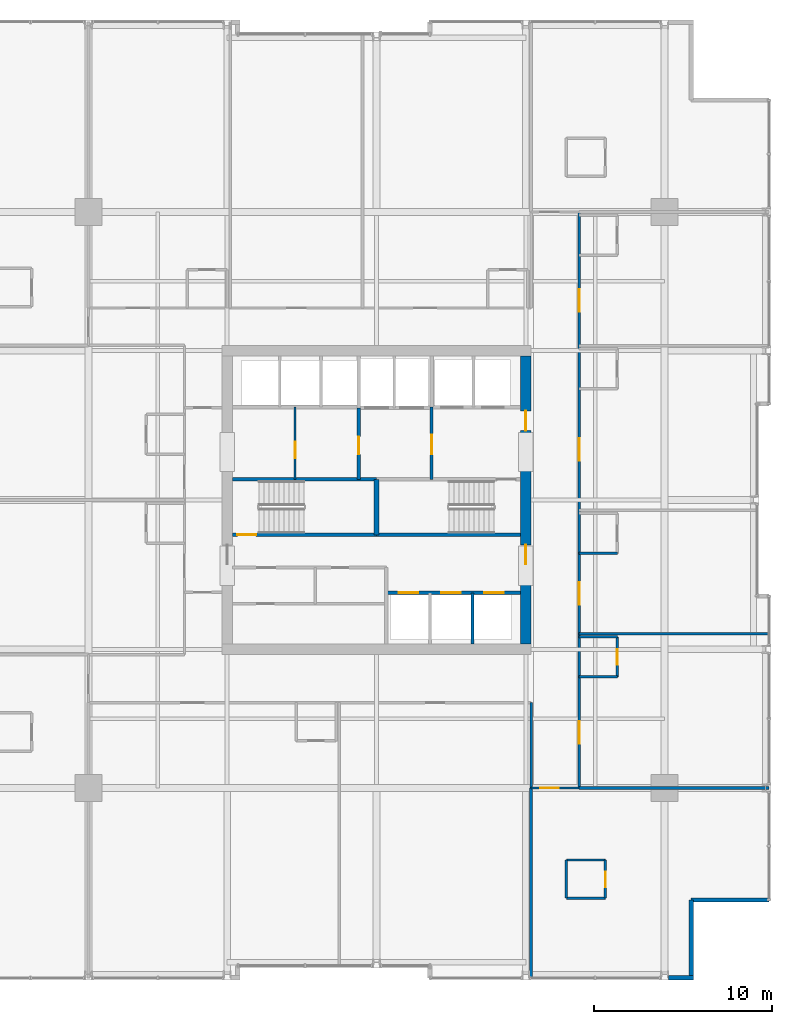
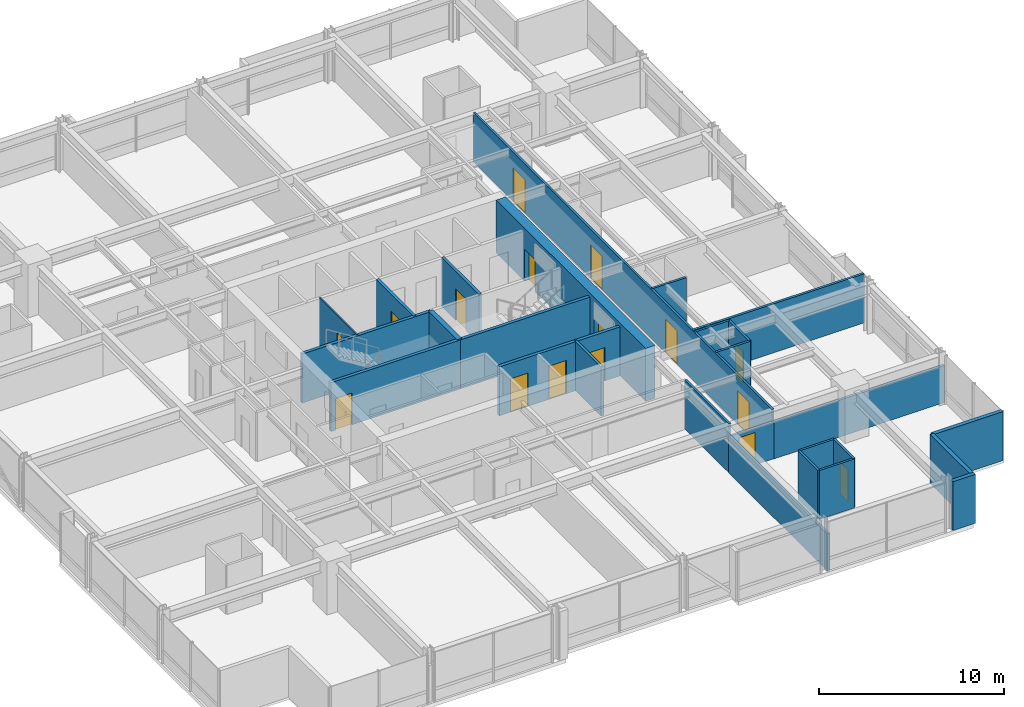
# One storey, part 29 of 34: 27 walls, 16 doors, 16 openings.
"""IFC4 building model written with IfcOpenShell, lengths in metres."""

from ifc_helpers import new_model, si_unit, direction, frame, frame_2d, origin, place, context, subcontext, project, spatial, rectangle, extrude, material, layer, layer_set, type_object, element, fill, save


model = new_model("IFC4")

# Units and contexts
model_context = context("Model", 3, precision=1e-05, world=origin(), true_north=direction((0.0, 1.0)))
body_context = subcontext(model_context, "Body", "Model", "MODEL_VIEW")
ifc_project = project(units=[si_unit("LENGTHUNIT", "METRE"), si_unit("AREAUNIT", "SQUARE_METRE"), si_unit("VOLUMEUNIT", "CUBIC_METRE"), si_unit("PLANEANGLEUNIT", "RADIAN"), si_unit("MASSUNIT", "GRAM", prefix="KILO")], contexts=[model_context])

# Site, building, storey
site_placement = place(None, origin())
site = spatial("IfcSite", under=ifc_project, at=site_placement, CompositionType="ELEMENT")
building_placement = place(site_placement, origin())
building = spatial("IfcBuilding", under=site, at=building_placement, Name="Drelvath Grand Hotel", CompositionType="ELEMENT")
storey_placement = place(building_placement, frame((0.0, 0.0, 102.300048828125)))
storey = spatial("IfcBuildingStorey", under=building, at=storey_placement, Name="L25", CompositionType="ELEMENT", Elevation=102.300048828125)

# Wall, opening, door
ifc_material_1 = material(Name="Gypsum Partition Board")
ifc_layer_1 = layer(ifc_material_1, 0.10009765625)
ifc_layer_set_1 = layer_set([ifc_layer_1], Name="Gypsum Partition Board")
wall_type_1 = type_object("IfcWallType", Name="Core Closet Partition 100", PredefinedType="PARTITIONING", material=ifc_layer_set_1)
wall_1_placement = place(storey_placement, frame((-4.580078125, 28.159912109375, 0.0), z_axis=(0.0, 0.0, 1.0), x_axis=(0.0, 1.0, 0.0)))
wall_1 = element("IfcWall", 1, at=wall_1_placement, inside=storey, type_object=wall_type_1, Name="L25 Core Closet Divider", PredefinedType="PARTITIONING", context=body_context, shape_type="SweptSolid", body=[
    extrude(rectangle(XDim=4.06005859375, YDim=0.10009765625, at=frame_2d((2.030029296875, 0.0))), origin(), (0.0, 0.0, 1.0), 3.239990234375),
])
opening_1_placement = place(wall_1_placement, frame((1.199951171875, 0.0, 0.0)))
opening_1 = element("IfcOpeningElement", 2, at=opening_1_placement, cuts=wall_1, Name="Opening D-T2G2-010", PredefinedType="OPENING", context=body_context, shape_type="SweptSolid", body=[
    extrude(rectangle(XDim=0.919921875, YDim=2.10009765625, at=frame_2d((0.4599609375, 1.050048828125))), frame((0.0, 0.06005859375, 0.0), z_axis=(0.0, -1.0, 0.0), x_axis=(1.0, 0.0, 0.0)), (0.0, 0.0, 1.0), 0.1201171875),
])
ifc_material_2 = material(Name="Painted Steel S275", Category="steel")
door_type_1 = type_object("IfcDoorType", Name="Staff Utility Door 920x2100", OperationType="NOTDEFINED", PredefinedType="DOOR", material=ifc_material_2)
door_1_placement = place(opening_1_placement, origin())
door_1 = element("IfcDoor", 3, at=door_1_placement, inside=storey, type_object=door_type_1, Name="L25 Electrical Closet Door", OperationType="SINGLE_SWING_RIGHT", OverallHeight=2.10009765625, OverallWidth=0.919921875, PredefinedType="DOOR", context=body_context, shape_type="SweptSolid", body=[
    extrude(rectangle(XDim=0.919921875, YDim=2.10009765625, at=frame_2d((0.4599609375, 1.050048828125))), frame((0.0, 0.02490234375, 0.0), z_axis=(0.0, -1.0, 0.0), x_axis=(1.0, 0.0, 0.0)), (0.0, 0.0, 1.0), 0.050048828125),
])
fill(opening_1, door_1)

# Wall, openings, doors
ifc_material_3 = material(Name="Concrete C40/50", Category="concrete")
ifc_layer_2 = layer(ifc_material_3, 0.199951171875)
ifc_layer_set_2 = layer_set([ifc_layer_2], Name="Concrete C40/50")
wall_type_2 = type_object("IfcWallType", Name="Core Hoistway Fire Wall 200", PredefinedType="SOLIDWALL", material=ifc_layer_set_2)
wall_2_placement = place(storey_placement, frame((8.10009765625, 21.780029296875, 0.0), z_axis=(0.0, 0.0, 1.0), x_axis=(-1.0, 0.0, 0.0)))
wall_2 = element("IfcWall", 4, at=wall_2_placement, inside=storey, type_object=wall_type_2, Name="L25 Bank 2 Hoistway Wall", PredefinedType="SOLIDWALL", context=body_context, shape_type="SweptSolid", body=[
    extrude(rectangle(XDim=7.550048828125, YDim=0.199951171875, at=frame_2d((3.77490234375, 0.0))), origin(), (0.0, 0.0, 1.0), 3.239990234375),
])
opening_2_placement = place(wall_2_placement, frame((5.75, 0.0, 0.0)))
opening_2 = element("IfcOpeningElement", 5, at=opening_2_placement, cuts=wall_2, Name="Opening LD-PE-4", PredefinedType="OPENING", context=body_context, shape_type="SweptSolid", body=[
    extrude(rectangle(XDim=1.10009765625, YDim=2.199951171875, at=frame_2d((0.550048828125, 1.10009765625))), frame((0.0, 0.10986328125, 0.0), z_axis=(0.0, -1.0, 0.0), x_axis=(1.0, 0.0, 0.0)), (0.0, 0.0, 1.0), 0.219970703125),
])
opening_3_placement = place(wall_2_placement, frame((3.35009765625, 0.0, 0.0)))
opening_3 = element("IfcOpeningElement", 6, at=opening_3_placement, cuts=wall_2, Name="Opening LD-PE-5", PredefinedType="OPENING", context=body_context, shape_type="SweptSolid", body=[
    extrude(rectangle(XDim=1.10009765625, YDim=2.199951171875, at=frame_2d((0.550048828125, 1.10009765625))), frame((0.0, 0.10986328125, 0.0), z_axis=(0.0, -1.0, 0.0), x_axis=(1.0, 0.0, 0.0)), (0.0, 0.0, 1.0), 0.219970703125),
])
opening_4_placement = place(wall_2_placement, frame((0.949951171875, 0.0, 0.0)))
opening_4 = element("IfcOpeningElement", 7, at=opening_4_placement, cuts=wall_2, Name="Opening LD-PE-6", PredefinedType="OPENING", context=body_context, shape_type="SweptSolid", body=[
    extrude(rectangle(XDim=1.10009765625, YDim=2.199951171875, at=frame_2d((0.550048828125, 1.10009765625))), frame((0.0, 0.10986328125, 0.0), z_axis=(0.0, -1.0, 0.0), x_axis=(1.0, 0.0, 0.0)), (0.0, 0.0, 1.0), 0.219970703125),
])
ifc_material_4 = material(Name="Stainless Steel S355", Category="steel")
door_type_2 = type_object("IfcDoorType", Name="Passenger Lift Sliding Landing Door 1100x2200", OperationType="NOTDEFINED", PredefinedType="DOOR", material=ifc_material_4)
door_2_placement = place(opening_2_placement, origin())
door_2 = element("IfcDoor", 8, at=door_2_placement, inside=storey, type_object=door_type_2, Name="L25 Lift PE-4 Landing Door", OperationType="SLIDING_TO_LEFT", OverallHeight=2.199951171875, OverallWidth=1.10009765625, PredefinedType="DOOR", context=body_context, shape_type="SweptSolid", body=[
    extrude(rectangle(XDim=1.10009765625, YDim=2.199951171875, at=frame_2d((0.550048828125, 1.10009765625))), frame((0.0, 0.02490234375, 0.0), z_axis=(0.0, -1.0, 0.0), x_axis=(1.0, 0.0, 0.0)), (0.0, 0.0, 1.0), 0.050048828125),
])
fill(opening_2, door_2)
door_3_placement = place(opening_3_placement, origin())
door_3 = element("IfcDoor", 9, at=door_3_placement, inside=storey, type_object=door_type_2, Name="L25 Lift PE-5 Landing Door", OperationType="SLIDING_TO_LEFT", OverallHeight=2.199951171875, OverallWidth=1.10009765625, PredefinedType="DOOR", context=body_context, shape_type="SweptSolid", body=[
    extrude(rectangle(XDim=1.10009765625, YDim=2.199951171875, at=frame_2d((0.550048828125, 1.10009765625))), frame((0.0, 0.02490234375, 0.0), z_axis=(0.0, -1.0, 0.0), x_axis=(1.0, 0.0, 0.0)), (0.0, 0.0, 1.0), 0.050048828125),
])
fill(opening_3, door_3)
door_4_placement = place(opening_4_placement, origin())
door_4 = element("IfcDoor", 10, at=door_4_placement, inside=storey, type_object=door_type_2, Name="L25 Lift PE-6 Landing Door", OperationType="SLIDING_TO_LEFT", OverallHeight=2.199951171875, OverallWidth=1.10009765625, PredefinedType="DOOR", context=body_context, shape_type="SweptSolid", body=[
    extrude(rectangle(XDim=1.10009765625, YDim=2.199951171875, at=frame_2d((0.550048828125, 1.10009765625))), frame((0.0, 0.02490234375, 0.0), z_axis=(0.0, -1.0, 0.0), x_axis=(1.0, 0.0, 0.0)), (0.0, 0.0, 1.0), 0.050048828125),
])
fill(opening_4, door_4)

# Wall, opening, door
ifc_layer_3 = layer(ifc_material_3, 0.199951171875)
ifc_layer_set_3 = layer_set([ifc_layer_3], Name="Concrete C40/50")
wall_type_3 = type_object("IfcWallType", Name="Core Shaft Fire Wall 200", PredefinedType="SOLIDWALL", material=ifc_layer_set_3)
wall_3_placement = place(storey_placement, frame((-8.10009765625, 25.0400390625, 0.0), z_axis=(0.0, 0.0, 1.0), x_axis=(1.0, 0.0, 0.0)))
wall_3 = element("IfcWall", 11, at=wall_3_placement, inside=storey, type_object=wall_type_3, Name="L25 Stair ST-1 South Wall", PredefinedType="SOLIDWALL", context=body_context, shape_type="SweptSolid", body=[
    extrude(rectangle(XDim=8.10009765625, YDim=0.199951171875, at=frame_2d((4.050048828125, 0.0))), origin(), (0.0, 0.0, 1.0), 3.239990234375),
])
opening_5_placement = place(wall_3_placement, frame((0.280029296875, 0.0, 0.0)))
opening_5 = element("IfcOpeningElement", 12, at=opening_5_placement, cuts=wall_3, Name="Opening D-T2G2-001", PredefinedType="OPENING", context=body_context, shape_type="SweptSolid", body=[
    extrude(rectangle(XDim=1.050048828125, YDim=2.10009765625, at=frame_2d((0.52490234375, 1.050048828125))), frame((0.0, 0.10986328125, 0.0), z_axis=(0.0, -1.0, 0.0), x_axis=(1.0, 0.0, 0.0)), (0.0, 0.0, 1.0), 0.219970703125),
])
door_type_3 = type_object("IfcDoorType", Name="Tower Stairwell Fire Door 1050x2100", OperationType="NOTDEFINED", PredefinedType="DOOR", material=ifc_material_2)
door_5_placement = place(opening_5_placement, origin())
door_5 = element("IfcDoor", 13, at=door_5_placement, inside=storey, type_object=door_type_3, Name="L25 Exit Stair ST-1 Door", OperationType="SINGLE_SWING_LEFT", OverallHeight=2.10009765625, OverallWidth=1.050048828125, PredefinedType="DOOR", context=body_context, shape_type="SweptSolid", body=[
    extrude(rectangle(XDim=1.050048828125, YDim=2.10009765625, at=frame_2d((0.52490234375, 1.050048828125))), frame((0.0, 0.02490234375, 0.0), z_axis=(0.0, -1.0, 0.0), x_axis=(1.0, 0.0, 0.0)), (0.0, 0.0, 1.0), 0.050048828125),
])
fill(opening_5, door_5)

# Walls
for number, where, z_axis, x_axis, name in (
    (14, (-8.10009765625, 28.159912109375, 0.0), (0.0, 0.0, 1.0), (1.0, 0.0, 0.0), "L25 Stair ST-1 North Wall"),
    (15, (0.0, 25.0400390625, 0.0), (0.0, 0.0, 1.0), (1.0, 0.0, 0.0), "L25 Stair ST-2 South Wall"),
):
    element("IfcWall", number, at=place(storey_placement, frame(where, z_axis=z_axis, x_axis=x_axis)), inside=storey, type_object=wall_type_3, Name=name, PredefinedType="SOLIDWALL", context=body_context, shape_type="SweptSolid", body=[
        extrude(rectangle(XDim=8.10009765625, YDim=0.199951171875, at=frame_2d((4.050048828125, 0.0))), origin(), (0.0, 0.0, 1.0), 3.239990234375),
    ])
ifc_layer_4 = layer(ifc_material_3, 0.300048828125)
ifc_layer_set_4 = layer_set([ifc_layer_4], Name="Concrete C40/50")
wall_type_4 = type_object("IfcWallType", Name="Core Shaft Fire Wall 300", PredefinedType="SOLIDWALL", material=ifc_layer_set_4)
wall_4_placement = place(storey_placement, frame((0.0, 25.0400390625, 0.0), z_axis=(0.0, 0.0, 1.0), x_axis=(0.0, 1.0, 0.0)))
element("IfcWall", 16, at=wall_4_placement, inside=storey, type_object=wall_type_4, Name="L25 Core Stair Divider Wall", PredefinedType="SOLIDWALL", context=body_context, shape_type="SweptSolid", body=[
    extrude(rectangle(XDim=3.119873046875, YDim=0.300048828125, at=frame_2d((1.56005859375, 0.0))), origin(), (0.0, 0.0, 1.0), 3.239990234375),
])
ifc_material_5 = material(Name="Gypsum Fireboard Partition")
ifc_layer_5 = layer(ifc_material_5, 0.1650390625)
ifc_layer_set_5 = layer_set([ifc_layer_5], Name="Gypsum Fireboard Partition")
wall_type_5 = type_object("IfcWallType", Name="Core Shaft Partition 165", PredefinedType="PARTITIONING", material=ifc_layer_set_5)
wall_5_placement = place(storey_placement, frame((5.39990234375, 18.89990234375, 0.0), z_axis=(0.0, 0.0, 1.0), x_axis=(0.0, 1.0, 0.0)))
element("IfcWall", 17, at=wall_5_placement, inside=storey, type_object=wall_type_5, Name="L25 Lift PE-5/6 Divider", PredefinedType="PARTITIONING", context=body_context, shape_type="SweptSolid", body=[
    extrude(rectangle(XDim=2.880126953125, YDim=0.1650390625, at=frame_2d((1.43994140625, 0.0))), origin(), (0.0, 0.0, 1.0), 3.239990234375),
])
ifc_layer_6 = layer(ifc_material_5, 0.135009765625)
ifc_layer_set_6 = layer_set([ifc_layer_6], Name="Gypsum Fireboard Partition")
wall_type_6 = type_object("IfcWallType", Name="Corridor Fire Barrier Wall 135", PredefinedType="PARTITIONING", material=ifc_layer_set_6)
wall_6_placement = place(storey_placement, frame((8.699951171875, 10.800048828125, 0.0), z_axis=(0.0, 0.0, 1.0), x_axis=(0.0, 1.0, 0.0)))
element("IfcWall", 18, at=wall_6_placement, inside=storey, type_object=wall_type_6, Name="L25 East Spine South Inner Wall", PredefinedType="PARTITIONING", context=body_context, shape_type="SweptSolid", body=[
    extrude(rectangle(XDim=4.800048828125, YDim=0.135009765625, at=frame_2d((2.39990234375, 0.0))), origin(), (0.0, 0.0, 1.0), 3.239990234375),
])

# Wall, openings, doors
wall_7_placement = place(storey_placement, frame((11.39990234375, 10.800048828125, 0.0), z_axis=(0.0, 0.0, 1.0), x_axis=(0.0, 1.0, 0.0)))
wall_7 = element("IfcWall", 19, at=wall_7_placement, inside=storey, type_object=wall_type_6, Name="L25 East Spine Corridor Wall", PredefinedType="PARTITIONING", context=body_context, shape_type="SweptSolid", body=[
    extrude(rectangle(XDim=32.39990234375, YDim=0.135009765625, at=frame_2d((16.199951171875, 0.0))), origin(), (0.0, 0.0, 1.0), 3.239990234375),
])
opening_6_placement = place(wall_7_placement, frame((2.494384765625, 0.0, 0.0)))
opening_6 = element("IfcOpeningElement", 20, at=opening_6_placement, cuts=wall_7, Name="Opening D-T2G2-038", PredefinedType="OPENING", context=body_context, shape_type="SweptSolid", body=[
    extrude(rectangle(XDim=1.260009765625, YDim=2.199951171875, at=frame_2d((0.6298828125, 1.10009765625))), frame((0.0, 0.077392578125, 0.0), z_axis=(0.0, -1.0, 0.0), x_axis=(1.0, 0.0, 0.0)), (0.0, 0.0, 1.0), 0.155029296875),
])
opening_7_placement = place(wall_7_placement, frame((10.304931640625, 0.0, 0.0)))
opening_7 = element("IfcOpeningElement", 21, at=opening_7_placement, cuts=wall_7, Name="Opening D-T2G2-040", PredefinedType="OPENING", context=body_context, shape_type="SweptSolid", body=[
    extrude(rectangle(XDim=1.260009765625, YDim=2.199951171875, at=frame_2d((0.6298828125, 1.10009765625))), frame((0.0, 0.077392578125, 0.0), z_axis=(0.0, -1.0, 0.0), x_axis=(1.0, 0.0, 0.0)), (0.0, 0.0, 1.0), 0.155029296875),
])
opening_8_placement = place(wall_7_placement, frame((18.405029296875, 0.0, 0.0)))
opening_8 = element("IfcOpeningElement", 22, at=opening_8_placement, cuts=wall_7, Name="Opening D-T2G2-042", PredefinedType="OPENING", context=body_context, shape_type="SweptSolid", body=[
    extrude(rectangle(XDim=1.260009765625, YDim=2.199951171875, at=frame_2d((0.6298828125, 1.10009765625))), frame((0.0, 0.077392578125, 0.0), z_axis=(0.0, -1.0, 0.0), x_axis=(1.0, 0.0, 0.0)), (0.0, 0.0, 1.0), 0.155029296875),
])
opening_9_placement = place(wall_7_placement, frame((26.794189453125, 0.0, 0.0)))
opening_9 = element("IfcOpeningElement", 23, at=opening_9_placement, cuts=wall_7, Name="Opening D-T2G2-044", PredefinedType="OPENING", context=body_context, shape_type="SweptSolid", body=[
    extrude(rectangle(XDim=1.260009765625, YDim=2.199951171875, at=frame_2d((0.6298828125, 1.10009765625))), frame((0.0, 0.077392578125, 0.0), z_axis=(0.0, -1.0, 0.0), x_axis=(1.0, 0.0, 0.0)), (0.0, 0.0, 1.0), 0.155029296875),
])
ifc_material_6 = material(Name="Hardwood Walnut Timber", Category="wood")
door_type_4 = type_object("IfcDoorType", Name="Suite Entrance Fire Door 1260x2200", OperationType="NOTDEFINED", PredefinedType="DOOR", material=ifc_material_6)
door_6_placement = place(opening_6_placement, origin())
door_6 = element("IfcDoor", 24, at=door_6_placement, inside=storey, type_object=door_type_4, Name="L25 Corner Suite Entry Door", OperationType="SINGLE_SWING_LEFT", OverallHeight=2.199951171875, OverallWidth=1.260009765625, PredefinedType="DOOR", context=body_context, shape_type="SweptSolid", body=[
    extrude(rectangle(XDim=1.260009765625, YDim=2.199951171875, at=frame_2d((0.6298828125, 1.10009765625))), frame((0.0, 0.02490234375, 0.0), z_axis=(0.0, -1.0, 0.0), x_axis=(1.0, 0.0, 0.0)), (0.0, 0.0, 1.0), 0.050048828125),
])
fill(opening_6, door_6)
door_7_placement = place(opening_7_placement, origin())
door_7 = element("IfcDoor", 25, at=door_7_placement, inside=storey, type_object=door_type_4, Name="L25 Corner Suite Entry Door", OperationType="SINGLE_SWING_LEFT", OverallHeight=2.199951171875, OverallWidth=1.260009765625, PredefinedType="DOOR", context=body_context, shape_type="SweptSolid", body=[
    extrude(rectangle(XDim=1.260009765625, YDim=2.199951171875, at=frame_2d((0.6298828125, 1.10009765625))), frame((0.0, 0.02490234375, 0.0), z_axis=(0.0, -1.0, 0.0), x_axis=(1.0, 0.0, 0.0)), (0.0, 0.0, 1.0), 0.050048828125),
])
fill(opening_7, door_7)
door_8_placement = place(opening_8_placement, origin())
door_8 = element("IfcDoor", 26, at=door_8_placement, inside=storey, type_object=door_type_4, Name="L25 Corner Suite Entry Door", OperationType="SINGLE_SWING_LEFT", OverallHeight=2.199951171875, OverallWidth=1.260009765625, PredefinedType="DOOR", context=body_context, shape_type="SweptSolid", body=[
    extrude(rectangle(XDim=1.260009765625, YDim=2.199951171875, at=frame_2d((0.6298828125, 1.10009765625))), frame((0.0, 0.02490234375, 0.0), z_axis=(0.0, -1.0, 0.0), x_axis=(1.0, 0.0, 0.0)), (0.0, 0.0, 1.0), 0.050048828125),
])
fill(opening_8, door_8)
door_9_placement = place(opening_9_placement, origin())
door_9 = element("IfcDoor", 27, at=door_9_placement, inside=storey, type_object=door_type_4, Name="L25 Corner Suite Entry Door", OperationType="SINGLE_SWING_LEFT", OverallHeight=2.199951171875, OverallWidth=1.260009765625, PredefinedType="DOOR", context=body_context, shape_type="SweptSolid", body=[
    extrude(rectangle(XDim=1.260009765625, YDim=2.199951171875, at=frame_2d((0.6298828125, 1.10009765625))), frame((0.0, 0.02490234375, 0.0), z_axis=(0.0, -1.0, 0.0), x_axis=(1.0, 0.0, 0.0)), (0.0, 0.0, 1.0), 0.050048828125),
])
fill(opening_9, door_9)

# Wall, opening, door
wall_8_placement = place(storey_placement, frame((8.699951171875, 10.800048828125, 0.0), z_axis=(0.0, 0.0, 1.0), x_axis=(1.0, 0.0, 0.0)))
wall_8 = element("IfcWall", 28, at=wall_8_placement, inside=storey, type_object=wall_type_6, Name="L25 East Spine South End", PredefinedType="PARTITIONING", context=body_context, shape_type="SweptSolid", body=[
    extrude(rectangle(XDim=2.699951171875, YDim=0.135009765625, at=frame_2d((1.35009765625, 0.0))), origin(), (0.0, 0.0, 1.0), 2.45166015625),
])
opening_10_placement = place(wall_8_placement, frame((0.52001953125, 0.0, 0.0)))
opening_10 = element("IfcOpeningElement", 29, at=opening_10_placement, cuts=wall_8, Name="Opening D-T2G2-026", PredefinedType="OPENING", context=body_context, shape_type="SweptSolid", body=[
    extrude(rectangle(XDim=1.02001953125, YDim=2.14990234375, at=frame_2d((0.510009765625, 1.074951171875))), frame((0.0, 0.077392578125, 0.0), z_axis=(0.0, -1.0, 0.0), x_axis=(1.0, 0.0, 0.0)), (0.0, 0.0, 1.0), 0.155029296875),
])
door_type_5 = type_object("IfcDoorType", Name="Amenity Meeting Fire Door 1020x2150", OperationType="NOTDEFINED", PredefinedType="DOOR", material=ifc_material_6)
door_10_placement = place(opening_10_placement, origin())
door_10 = element("IfcDoor", 30, at=door_10_placement, inside=storey, type_object=door_type_5, Name="L25 Corner Suite Entry Door", OperationType="SINGLE_SWING_LEFT", OverallHeight=2.14990234375, OverallWidth=1.02001953125, PredefinedType="DOOR", context=body_context, shape_type="SweptSolid", body=[
    extrude(rectangle(XDim=1.02001953125, YDim=2.14990234375, at=frame_2d((0.510009765625, 1.074951171875))), frame((0.0, 0.02490234375, 0.0), z_axis=(0.0, -1.0, 0.0), x_axis=(1.0, 0.0, 0.0)), (0.0, 0.0, 1.0), 0.050048828125),
])
fill(opening_10, door_10)

# Walls
ifc_material_7 = material(Name="Moisture-Resistant Gypsum Board")
ifc_layer_7 = layer(ifc_material_7, 0.139892578125)
ifc_layer_set_7 = layer_set([ifc_layer_7], Name="Moisture-Resistant Gypsum Board")
wall_type_7 = type_object("IfcWallType", Name="En-Suite Plumbing Wall 140", PredefinedType="PLUMBINGWALL", material=ifc_layer_set_7)
for number, where, z_axis, x_axis, name in (
    (31, (10.679931640625, 4.60009765625, 0.0), (0.0, 0.0, 1.0), (1.0, 0.0, 0.0), "L25 Corner En-Suite South"),
    (32, (10.679931640625, 6.75, 0.0), (0.0, 0.0, 1.0), (1.0, 0.0, 0.0), "L25 Corner En-Suite North"),
):
    element("IfcWall", number, at=place(storey_placement, frame(where, z_axis=z_axis, x_axis=x_axis)), inside=storey, type_object=wall_type_7, Name=name, PredefinedType="PLUMBINGWALL", context=body_context, shape_type="SweptSolid", body=[
        extrude(rectangle(XDim=2.199951171875, YDim=0.139892578125, at=frame_2d((1.10009765625, 0.0))), origin(), (0.0, 0.0, 1.0), 3.239990234375),
    ])
wall_9_placement = place(storey_placement, frame((10.679931640625, 4.60009765625, 0.0), z_axis=(0.0, 0.0, 1.0), x_axis=(0.0, 1.0, 0.0)))
element("IfcWall", 33, at=wall_9_placement, inside=storey, type_object=wall_type_7, Name="L25 Corner En-Suite West", PredefinedType="PLUMBINGWALL", context=body_context, shape_type="SweptSolid", body=[
    extrude(rectangle(XDim=2.14990234375, YDim=0.139892578125, at=frame_2d((1.074951171875, 0.0))), origin(), (0.0, 0.0, 1.0), 3.239990234375),
])

# Wall, opening, door
wall_10_placement = place(storey_placement, frame((12.8798828125, 4.60009765625, 0.0), z_axis=(0.0, 0.0, 1.0), x_axis=(0.0, 1.0, 0.0)))
wall_10 = element("IfcWall", 34, at=wall_10_placement, inside=storey, type_object=wall_type_7, Name="L25 Corner En-Suite East", PredefinedType="PLUMBINGWALL", context=body_context, shape_type="SweptSolid", body=[
    extrude(rectangle(XDim=2.14990234375, YDim=0.139892578125, at=frame_2d((1.074951171875, 0.0))), origin(), (0.0, 0.0, 1.0), 3.239990234375),
])
opening_11_placement = place(wall_10_placement, frame((0.6201171875, 0.0, 0.0)))
opening_11 = element("IfcOpeningElement", 35, at=opening_11_placement, cuts=wall_10, Name="Opening D-T2G2-025", PredefinedType="OPENING", context=body_context, shape_type="SweptSolid", body=[
    extrude(rectangle(XDim=0.8798828125, YDim=2.10009765625, at=frame_2d((0.43994140625, 1.050048828125))), frame((0.0, 0.079833984375, 0.0), z_axis=(0.0, -1.0, 0.0), x_axis=(1.0, 0.0, 0.0)), (0.0, 0.0, 1.0), 0.159912109375),
])
door_type_6 = type_object("IfcDoorType", Name="En-Suite Bathroom Door 880x2100", OperationType="NOTDEFINED", PredefinedType="DOOR", material=ifc_material_6)
door_11_placement = place(opening_11_placement, origin())
door_11 = element("IfcDoor", 36, at=door_11_placement, inside=storey, type_object=door_type_6, Name="L25 Corner En-Suite Door", OperationType="SINGLE_SWING_RIGHT", OverallHeight=2.10009765625, OverallWidth=0.8798828125, PredefinedType="DOOR", context=body_context, shape_type="SweptSolid", body=[
    extrude(rectangle(XDim=0.8798828125, YDim=2.10009765625, at=frame_2d((0.43994140625, 1.050048828125))), frame((0.0, 0.02490234375, 0.0), z_axis=(0.0, -1.0, 0.0), x_axis=(1.0, 0.0, 0.0)), (0.0, 0.0, 1.0), 0.050048828125),
])
fill(opening_11, door_11)

# Walls
for number, where, z_axis, x_axis, name in (
    (37, (11.39990234375, 17.048583984375, 0.0), (0.0, 0.0, 1.0), (1.0, 0.0, 0.0), "L25 En-Suite Left Wall"),
    (38, (11.39990234375, 19.298583984375, 0.0), (0.0, 0.0, 1.0), (1.0, 0.0, 0.0), "L25 En-Suite Right Wall"),
):
    element("IfcWall", number, at=place(storey_placement, frame(where, z_axis=z_axis, x_axis=x_axis)), inside=storey, type_object=wall_type_7, Name=name, PredefinedType="PLUMBINGWALL", context=body_context, shape_type="SweptSolid", body=[
        extrude(rectangle(XDim=2.150146484375, YDim=0.139892578125, at=frame_2d((1.0751953125, 0.0))), origin(), (0.0, 0.0, 1.0), 3.239990234375),
    ])

# Wall, opening, door
wall_11_placement = place(storey_placement, frame((13.550048828125, 17.048583984375, 0.0), z_axis=(0.0, 0.0, 1.0), x_axis=(0.0, 1.0, 0.0)))
wall_11 = element("IfcWall", 39, at=wall_11_placement, inside=storey, type_object=wall_type_7, Name="L25 En-Suite Front Wall", PredefinedType="PLUMBINGWALL", context=body_context, shape_type="SweptSolid", body=[
    extrude(rectangle(XDim=2.25, YDim=0.139892578125, at=frame_2d((1.125, 0.0))), origin(), (0.0, 0.0, 1.0), 3.239990234375),
])
opening_12_placement = place(wall_11_placement, frame((0.68505859375, 0.0, 0.0)))
opening_12 = element("IfcOpeningElement", 40, at=opening_12_placement, cuts=wall_11, Name="Opening D-T2G2-037", PredefinedType="OPENING", context=body_context, shape_type="SweptSolid", body=[
    extrude(rectangle(XDim=0.8798828125, YDim=2.10009765625, at=frame_2d((0.43994140625, 1.050048828125))), frame((0.0, 0.079833984375, 0.0), z_axis=(0.0, -1.0, 0.0), x_axis=(1.0, 0.0, 0.0)), (0.0, 0.0, 1.0), 0.159912109375),
])
door_12_placement = place(opening_12_placement, origin())
door_12 = element("IfcDoor", 41, at=door_12_placement, inside=storey, type_object=door_type_6, Name="L25 En-Suite Bathroom Door", OperationType="SINGLE_SWING_RIGHT", OverallHeight=2.10009765625, OverallWidth=0.8798828125, PredefinedType="DOOR", context=body_context, shape_type="SweptSolid", body=[
    extrude(rectangle(XDim=0.8798828125, YDim=2.10009765625, at=frame_2d((0.43994140625, 1.050048828125))), frame((0.0, 0.02490234375, 0.0), z_axis=(0.0, -1.0, 0.0), x_axis=(1.0, 0.0, 0.0)), (0.0, 0.0, 1.0), 0.050048828125),
])
fill(opening_12, door_12)

# Wall
wall_12_placement = place(storey_placement, frame((11.39990234375, 23.991455078125, 0.0), z_axis=(0.0, 0.0, 1.0), x_axis=(1.0, 0.0, 0.0)))
element("IfcWall", 42, at=wall_12_placement, inside=storey, type_object=wall_type_7, Name="L25 En-Suite Left Wall", PredefinedType="PLUMBINGWALL", context=body_context, shape_type="SweptSolid", body=[
    extrude(rectangle(XDim=2.150146484375, YDim=0.139892578125, at=frame_2d((1.0751953125, 0.0))), origin(), (0.0, 0.0, 1.0), 3.239990234375),
])

# Wall, opening, door
ifc_layer_8 = layer(ifc_material_5, 0.179931640625)
ifc_layer_set_8 = layer_set([ifc_layer_8], Name="Gypsum Fireboard Partition")
wall_type_8 = type_object("IfcWallType", Name="FSAE Smoke Lobby Fire Wall 180", PredefinedType="SOLIDWALL", material=ifc_layer_set_8)
wall_13_placement = place(storey_placement, frame((3.10009765625, 28.159912109375, 0.0), z_axis=(0.0, 0.0, 1.0), x_axis=(0.0, 1.0, 0.0)))
wall_13 = element("IfcWall", 43, at=wall_13_placement, inside=storey, type_object=wall_type_8, Name="L25 FSAE Smoke Lobby West Wall", PredefinedType="SOLIDWALL", context=body_context, shape_type="SweptSolid", body=[
    extrude(rectangle(XDim=4.06005859375, YDim=0.179931640625, at=frame_2d((2.030029296875, 0.0))), origin(), (0.0, 0.0, 1.0), 3.239990234375),
])
opening_13_placement = place(wall_13_placement, frame((1.39990234375, 0.0, 0.0)))
opening_13 = element("IfcOpeningElement", 44, at=opening_13_placement, cuts=wall_13, Name="Opening D-T2G2-005", PredefinedType="OPENING", context=body_context, shape_type="SweptSolid", body=[
    extrude(rectangle(XDim=1.1201171875, YDim=2.10009765625, at=frame_2d((0.56005859375, 1.050048828125))), frame((0.0, 0.099853515625, 0.0), z_axis=(0.0, -1.0, 0.0), x_axis=(1.0, 0.0, 0.0)), (0.0, 0.0, 1.0), 0.199951171875),
])
door_type_7 = type_object("IfcDoorType", Name="FSAE Smoke Lobby Fire Door 1120x2100", OperationType="NOTDEFINED", PredefinedType="DOOR", material=ifc_material_2)
door_13_placement = place(opening_13_placement, origin())
door_13 = element("IfcDoor", 45, at=door_13_placement, inside=storey, type_object=door_type_7, Name="L25 FSAE Lobby Service Vestibule Door", OperationType="SINGLE_SWING_RIGHT", OverallHeight=2.10009765625, OverallWidth=1.1201171875, PredefinedType="DOOR", context=body_context, shape_type="SweptSolid", body=[
    extrude(rectangle(XDim=1.1201171875, YDim=2.10009765625, at=frame_2d((0.56005859375, 1.050048828125))), frame((0.0, 0.02490234375, 0.0), z_axis=(0.0, -1.0, 0.0), x_axis=(1.0, 0.0, 0.0)), (0.0, 0.0, 1.0), 0.050048828125),
])
fill(opening_13, door_13)

wall_14_placement = place(storey_placement, frame((-1.0, 28.159912109375, 0.0), z_axis=(0.0, 0.0, 1.0), x_axis=(0.0, 1.0, 0.0)))
wall_14 = element("IfcWall", 46, at=wall_14_placement, inside=storey, type_object=wall_type_8, Name="L25 Service Vestibule West Wall", PredefinedType="SOLIDWALL", context=body_context, shape_type="SweptSolid", body=[
    extrude(rectangle(XDim=4.02001953125, YDim=0.179931640625, at=frame_2d((2.010009765625, 0.0))), origin(), (0.0, 0.0, 1.0), 3.239990234375),
])
opening_14_placement = place(wall_14_placement, frame((1.39990234375, 0.0, 0.0)))
opening_14 = element("IfcOpeningElement", 47, at=opening_14_placement, cuts=wall_14, Name="Opening D-T2G2-009", PredefinedType="OPENING", context=body_context, shape_type="SweptSolid", body=[
    extrude(rectangle(XDim=1.0, YDim=2.10009765625, at=frame_2d((0.5, 1.050048828125))), frame((0.0, 0.099853515625, 0.0), z_axis=(0.0, -1.0, 0.0), x_axis=(1.0, 0.0, 0.0)), (0.0, 0.0, 1.0), 0.199951171875),
])
door_type_8 = type_object("IfcDoorType", Name="Core Service Fire Door 1000x2100", OperationType="NOTDEFINED", PredefinedType="DOOR", material=ifc_material_2)
door_14_placement = place(opening_14_placement, origin())
door_14 = element("IfcDoor", 48, at=door_14_placement, inside=storey, type_object=door_type_8, Name="L25 Service Vestibule West Door", OperationType="SINGLE_SWING_LEFT", OverallHeight=2.10009765625, OverallWidth=1.0, PredefinedType="DOOR", context=body_context, shape_type="SweptSolid", body=[
    extrude(rectangle(XDim=1.0, YDim=2.10009765625, at=frame_2d((0.5, 1.050048828125))), frame((0.0, 0.02490234375, 0.0), z_axis=(0.0, -1.0, 0.0), x_axis=(1.0, 0.0, 0.0)), (0.0, 0.0, 1.0), 0.050048828125),
])
fill(opening_14, door_14)

# Wall
ifc_material_8 = material(Name="Gypsum Acoustic Partition")
ifc_layer_9 = layer(ifc_material_8, 0.14990234375)
ifc_layer_set_9 = layer_set([ifc_layer_9], Name="Gypsum Acoustic Partition")
wall_type_9 = type_object("IfcWallType", Name="Guestroom Demising Wall 150", PredefinedType="PARTITIONING", material=ifc_layer_set_9)
wall_15_placement = place(storey_placement, frame((11.39990234375, 19.478515625, 0.0), z_axis=(0.0, 0.0, 1.0), x_axis=(1.0, 0.0, 0.0)))
element("IfcWall", 49, at=wall_15_placement, inside=storey, type_object=wall_type_9, Name="L25 East Demising 1", PredefinedType="PARTITIONING", context=body_context, shape_type="SweptSolid", body=[
    extrude(rectangle(XDim=10.68017578125, YDim=0.14990234375, at=frame_2d((5.340087890625, 0.0))), origin(), (0.0, 0.0, 1.0), 3.239990234375),
])

# Wall, openings, doors
ifc_material_9 = material(Name="Concrete f'c 70 MPa", Category="concrete")
ifc_layer_10 = layer(ifc_material_9, 0.60009765625)
ifc_layer_set_10 = layer_set([ifc_layer_10], Name="Concrete f'c 70 MPa")
wall_type_10 = type_object("IfcWallType", Name="Lower Core RC Shear Wall 600", PredefinedType="SHEAR", material=ifc_layer_set_10)
wall_16_placement = place(storey_placement, frame((8.39990234375, 35.10009765625, 0.0), z_axis=(0.0, 0.0, 1.0), x_axis=(0.0, -1.0, 0.0)))
wall_16 = element("IfcWall", 50, at=wall_16_placement, inside=storey, type_object=wall_type_10, Name="L25 Central Core Shear Wall E", PredefinedType="SHEAR", context=body_context, shape_type="SweptSolid", body=[
    extrude(rectangle(XDim=16.2001953125, YDim=0.60009765625, at=frame_2d((8.10009765625, 0.0))), origin(), (0.0, 0.0, 1.0), 3.5),
])
opening_15_placement = place(wall_16_placement, frame((3.080078125, 0.0, 0.0)))
opening_15 = element("IfcOpeningElement", 51, at=opening_15_placement, cuts=wall_16, Name="Opening D-T2G2-006", PredefinedType="OPENING", context=body_context, shape_type="SweptSolid", body=[
    extrude(rectangle(XDim=1.1201171875, YDim=2.10009765625, at=frame_2d((0.56005859375, 1.050048828125))), frame((0.0, 0.31005859375, 0.0), z_axis=(0.0, -1.0, 0.0), x_axis=(1.0, 0.0, 0.0)), (0.0, 0.0, 1.0), 0.6201171875),
])
opening_16_placement = place(wall_16_placement, frame((10.6201171875, 0.0, 0.0)))
opening_16 = element("IfcOpeningElement", 52, at=opening_16_placement, cuts=wall_16, Name="Opening D-T2G2-015", PredefinedType="OPENING", context=body_context, shape_type="SweptSolid", body=[
    extrude(rectangle(XDim=1.080078125, YDim=2.0400390625, at=frame_2d((0.5400390625, 1.02001953125))), frame((0.0, 0.31005859375, 0.0), z_axis=(0.0, -1.0, 0.0), x_axis=(1.0, 0.0, 0.0)), (0.0, 0.0, 1.0), 0.6201171875),
])
door_type_9 = type_object("IfcDoorType", Name="Core Corridor Fire Door 1080x2100", OperationType="NOTDEFINED", PredefinedType="DOOR", material=ifc_material_2)
door_15_placement = place(opening_16_placement, origin())
door_15 = element("IfcDoor", 53, at=door_15_placement, inside=storey, type_object=door_type_9, Name="L25 Mid-Rise Lobby East Door", OperationType="SINGLE_SWING_RIGHT", OverallHeight=2.0400390625, OverallWidth=1.080078125, PredefinedType="DOOR", context=body_context, shape_type="SweptSolid", body=[
    extrude(rectangle(XDim=1.080078125, YDim=2.0400390625, at=frame_2d((0.5400390625, 1.02001953125))), frame((0.0, 0.02490234375, 0.0), z_axis=(0.0, -1.0, 0.0), x_axis=(1.0, 0.0, 0.0)), (0.0, 0.0, 1.0), 0.050048828125),
])
fill(opening_16, door_15)
door_16_placement = place(opening_15_placement, origin())
door_16 = element("IfcDoor", 54, at=door_16_placement, inside=storey, type_object=door_type_7, Name="L25 FSAE Lobby East Corridor Door", OperationType="SINGLE_SWING_LEFT", OverallHeight=2.10009765625, OverallWidth=1.1201171875, PredefinedType="DOOR", context=body_context, shape_type="SweptSolid", body=[
    extrude(rectangle(XDim=1.1201171875, YDim=2.10009765625, at=frame_2d((0.56005859375, 1.050048828125))), frame((0.0, 0.02490234375, 0.0), z_axis=(0.0, -1.0, 0.0), x_axis=(1.0, 0.0, 0.0)), (0.0, 0.0, 1.0), 0.050048828125),
])
fill(opening_15, door_16)

# Walls
ifc_layer_11 = layer(ifc_material_8, 0.1650390625)
ifc_layer_set_11 = layer_set([ifc_layer_11], Name="Gypsum Acoustic Partition")
wall_type_11 = type_object("IfcWallType", Name="Suite Demising Wall 165", PredefinedType="PARTITIONING", material=ifc_layer_set_11)
wall_17_placement = place(storey_placement, frame((8.699951171875, 0.1201171875, 0.0), z_axis=(0.0, 0.0, 1.0), x_axis=(0.0, 1.0, 0.0)))
element("IfcWall", 55, at=wall_17_placement, inside=storey, type_object=wall_type_11, Name="L25 SE Suite West Wall", PredefinedType="PARTITIONING", context=body_context, shape_type="SweptSolid", body=[
    extrude(rectangle(XDim=10.679931640625, YDim=0.1650390625, at=frame_2d((5.33984375, 0.0))), origin(), (0.0, 0.0, 1.0), 2.45166015625),
])
wall_18_placement = place(storey_placement, frame((11.39990234375, 10.800048828125, 0.0), z_axis=(0.0, 0.0, 1.0), x_axis=(1.0, 0.0, 0.0)))
element("IfcWall", 56, at=wall_18_placement, inside=storey, type_object=wall_type_11, Name="L25 SE Suite North Wall", PredefinedType="PARTITIONING", context=body_context, shape_type="SweptSolid", body=[
    extrude(rectangle(XDim=10.68017578125, YDim=0.1650390625, at=frame_2d((5.340087890625, 0.0))), origin(), (0.0, 0.0, 1.0), 2.45166015625),
])
ifc_material_10 = material(Name="Pale-Metal Insulated Aluminium Spandrel Assembly", Category="aluminium")
ifc_layer_12 = layer(ifc_material_10, 0.239990234375)
ifc_layer_set_12 = layer_set([ifc_layer_12], Name="Pale-Metal Insulated Aluminium Spandrel Assembly")
wall_type_12 = type_object("IfcWallType", Name="Tower Insulated Metal Spandrel Closure Wall 240", PredefinedType="STANDARD", material=ifc_layer_set_12)
wall_19_placement = place(storey_placement, frame((17.820068359375, 0.1201171875, 0.0), z_axis=(0.0, 0.0, 1.0), x_axis=(-1.0, 0.0, 0.0)))
element("IfcWall", 57, at=wall_19_placement, inside=storey, type_object=wall_type_12, Name="L25 Corner Pier Spandrel Wall SE3", PredefinedType="STANDARD", context=body_context, shape_type="SweptSolid", body=[
    extrude(rectangle(XDim=1.400390625, YDim=0.239990234375, at=frame_2d((0.7001953125, 0.0))), origin(), (0.0, 0.0, 1.0), 3.239990234375),
])
wall_20_placement = place(storey_placement, frame((22.080078125, 4.5, 0.0), z_axis=(0.0, 0.0, 1.0), x_axis=(-1.0, 0.0, 0.0)))
element("IfcWall", 58, at=wall_20_placement, inside=storey, type_object=wall_type_12, Name="L25 Notched Corner Return Spandrel Wall CSE1", PredefinedType="STANDARD", context=body_context, shape_type="SweptSolid", body=[
    extrude(rectangle(XDim=4.380126953125, YDim=0.239990234375, at=frame_2d((2.18994140625, 0.0))), origin(), (0.0, 0.0, 1.0), 3.239990234375),
])
wall_21_placement = place(storey_placement, frame((17.699951171875, 4.5, 0.0), z_axis=(0.0, 0.0, 1.0), x_axis=(0.0, -1.0, 0.0)))
element("IfcWall", 59, at=wall_21_placement, inside=storey, type_object=wall_type_12, Name="L25 Notched Corner Return Spandrel Wall CSE2", PredefinedType="STANDARD", context=body_context, shape_type="SweptSolid", body=[
    extrude(rectangle(XDim=4.260009765625, YDim=0.239990234375, at=frame_2d((2.1298828125, 0.0))), origin(), (0.0, 0.0, 1.0), 3.239990234375),
])

save(model, "model.ifc")
